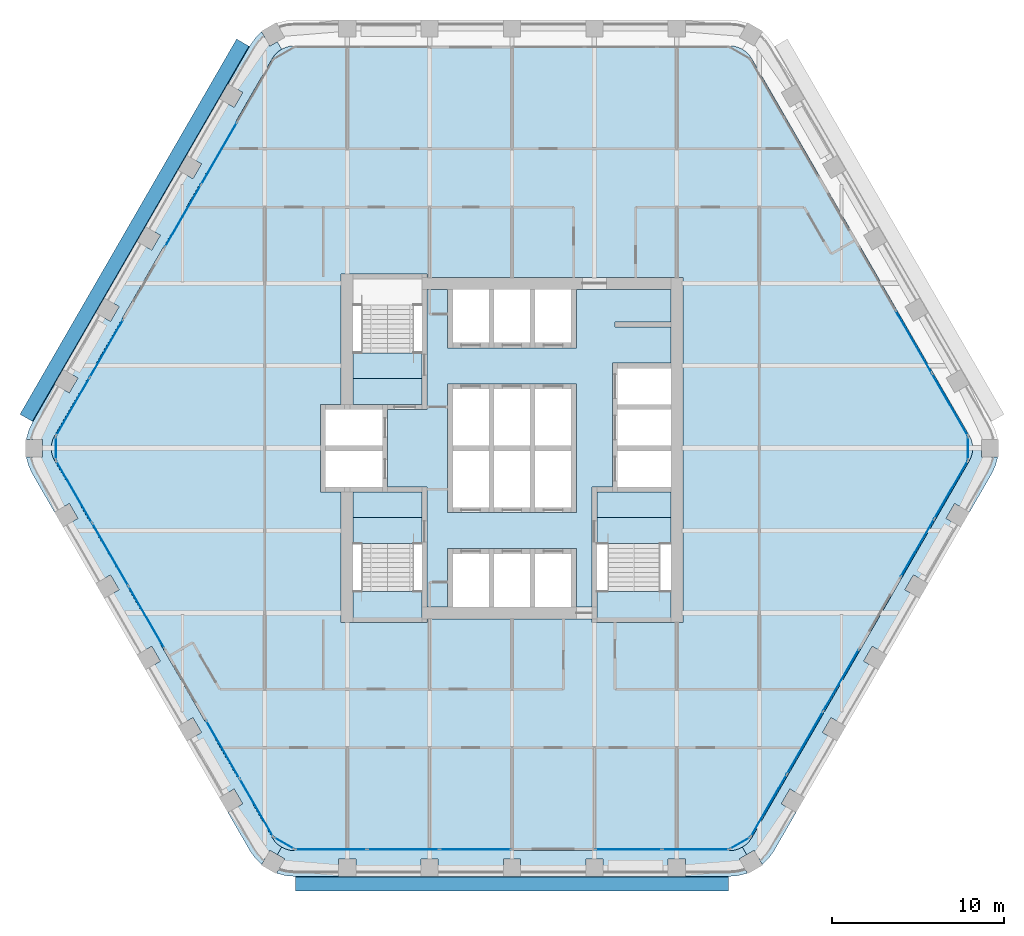
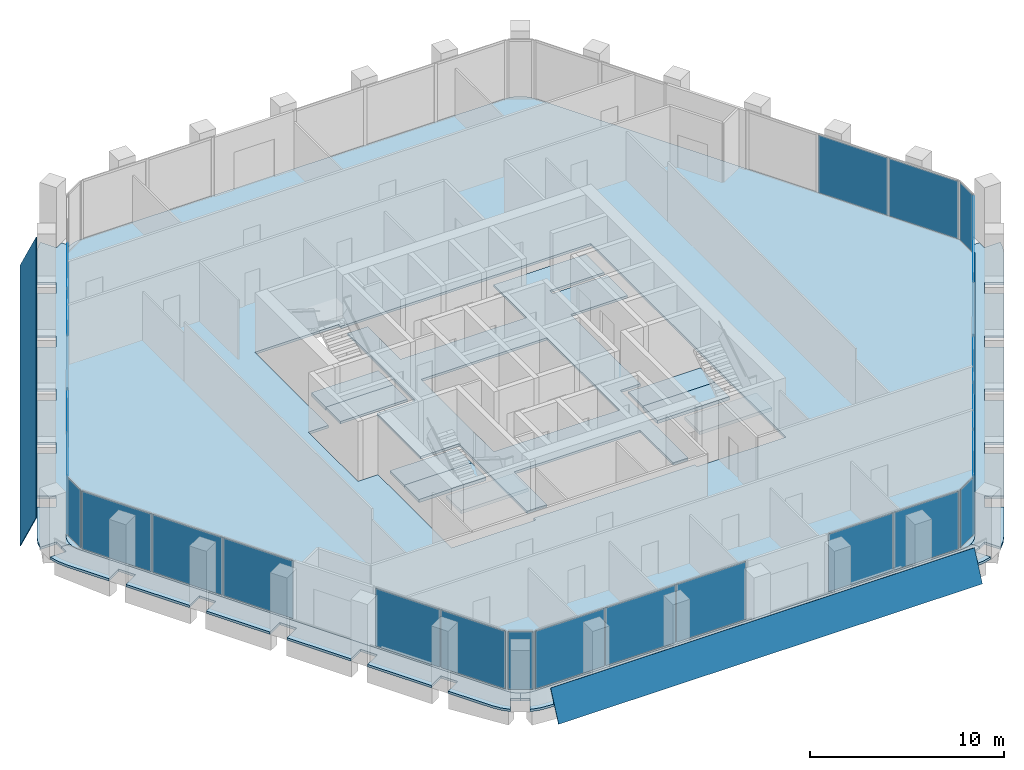
# One storey, part 7 of 15: 27 plates, 14 slabs, 16 elements without a shape of their own.
"""IFC4 building model written with IfcOpenShell, lengths in metres."""

from ifc_helpers import new_model, si_unit, direction, frame, origin, origin_2d, place, context, subcontext, project, spatial, polyline, rectangle, outline, extrude, material, layer, layer_set, type_object, element, aggregate, save


model = new_model("IFC4")

# Units and contexts
model_context = context("Model", 3, precision=1e-05, world=origin(), true_north=direction((0.0, 1.0)))
body_context = subcontext(model_context, "Body", "Model", "MODEL_VIEW")
ifc_project = project(units=[si_unit("LENGTHUNIT", "METRE"), si_unit("AREAUNIT", "SQUARE_METRE"), si_unit("VOLUMEUNIT", "CUBIC_METRE"), si_unit("PLANEANGLEUNIT", "RADIAN"), si_unit("MASSUNIT", "GRAM", prefix="KILO")], contexts=[model_context])

# Site, building, storey
site_placement = place(None, origin())
site = spatial("IfcSite", under=ifc_project, at=site_placement, CompositionType="ELEMENT")
building_placement = place(site_placement, origin())
building = spatial("IfcBuilding", under=site, at=building_placement, Name="Kolab Exchange Tower", CompositionType="ELEMENT")
storey_placement = place(building_placement, frame((0.0, 0.0, 142.699951171875)))
storey = spatial("IfcBuildingStorey", under=building, at=storey_placement, Name="L28", CompositionType="ELEMENT", Elevation=142.699951171875)

# Slabs
ifc_material_1 = material(Name="Concrete C35/45", Category="concrete")
ifc_layer_1 = layer(ifc_material_1, 0.14990234375)
ifc_layer_set_1 = layer_set([ifc_layer_1], Name="Concrete C35/45")
slab_type_1 = type_object("IfcSlabType", Name="FLOOR SLAB 150", PredefinedType="FLOOR", material=ifc_layer_set_1)
slab_1_placement = place(storey_placement, frame((0.0, 0.0, -0.14990234375)))
element("IfcSlab", 1, at=slab_1_placement, inside=storey, type_object=slab_type_1, Name="slab/L28/floor/0", PredefinedType="FLOOR", context=body_context, shape_type="SweptSolid", body=[
    extrude(outline(polyline([(13.967041015625, -22.691650390625), (26.635009765625, -0.75), (26.745361328125, -0.512939453125), (26.81298828125, -0.260498046875), (26.8359375, 0.0), (26.81298828125, 0.260498046875), (26.745361328125, 0.512939453125), (26.635009765625, 0.75), (13.967041015625, 22.691650390625), (13.81689453125, 22.90576171875), (13.632080078125, 23.090576171875), (13.41796875, 23.240478515625), (13.180908203125, 23.35107421875), (12.928466796875, 23.418701171875), (12.66796875, 23.441650390625), (-12.66796875, 23.441650390625), (-12.928466796875, 23.418701171875), (-13.180908203125, 23.35107421875), (-13.41796875, 23.240478515625), (-13.632080078125, 23.090576171875), (-13.81689453125, 22.90576171875), (-13.967041015625, 22.691650390625), (-26.635009765625, 0.75), (-26.745361328125, 0.512939453125), (-26.81298828125, 0.260498046875), (-26.8359375, 0.0), (-26.81298828125, -0.260498046875), (-26.745361328125, -0.512939453125), (-26.635009765625, -0.75), (-13.967041015625, -22.691650390625), (-13.81689453125, -22.90576171875), (-13.632080078125, -23.090576171875), (-13.41796875, -23.240478515625), (-13.180908203125, -23.35107421875), (-12.928466796875, -23.418701171875), (-12.66796875, -23.441650390625), (12.66796875, -23.441650390625), (12.928466796875, -23.418701171875), (13.180908203125, -23.35107421875), (13.41796875, -23.240478515625), (13.632080078125, -23.090576171875), (13.81689453125, -22.90576171875), (13.967041015625, -22.691650390625)]), holes=[polyline([(-9.25, -10.14990234375), (-9.949951171875, -10.14990234375), (-9.949951171875, -2.550048828125), (-10.85009765625, -2.550048828125), (-11.14990234375, -2.550048828125), (-11.14990234375, 2.550048828125), (-10.85009765625, 2.550048828125), (-9.949951171875, 2.550048828125), (-9.949951171875, 10.14990234375), (-9.25, 10.14990234375), (-5.25, 10.14990234375), (-4.949951171875, 10.14990234375), (-4.949951171875, 9.949951171875), (9.25, 9.949951171875), (9.949951171875, 9.949951171875), (9.949951171875, -10.14990234375), (9.25, -10.14990234375), (4.949951171875, -10.14990234375), (4.64990234375, -10.14990234375), (4.64990234375, -9.949951171875), (-4.949951171875, -9.949951171875), (-4.949951171875, -10.14990234375), (-5.25, -10.14990234375), (-9.25, -10.14990234375)])]), origin(), (0.0, 0.0, 1.0), 0.14990234375),
])
slab_2_placement = place(storey_placement, frame((0.0, 0.0, -0.14990234375)))
element("IfcSlab", 2, at=slab_2_placement, inside=storey, type_object=slab_type_1, Name="slab/L28/floor/1", PredefinedType="FLOOR", context=body_context, shape_type="SweptSolid", body=[
    extrude(outline(polyline([(-4.949951171875, 9.25), (-4.949951171875, 2.25), (-5.25, 2.25), (-7.25, 2.25), (-7.25, -2.25), (-5.25, -2.25), (-4.949951171875, -2.25), (-4.949951171875, -9.25), (-3.75, -9.25), (-3.75, -5.85009765625), (-3.449951171875, -5.85009765625), (-1.35009765625, -5.85009765625), (-1.050048828125, -5.85009765625), (1.050048828125, -5.85009765625), (1.35009765625, -5.85009765625), (3.449951171875, -5.85009765625), (3.75, -5.85009765625), (3.75, -9.25), (4.64990234375, -9.25), (4.64990234375, -2.25), (4.949951171875, -2.25), (5.85009765625, -2.25), (5.85009765625, 4.949951171875), (6.14990234375, 4.949951171875), (9.25, 4.949951171875), (9.25, 7.050048828125), (6.0, 7.050048828125), (6.0, 7.35009765625), (9.25, 7.35009765625), (9.25, 9.25), (3.75, 9.25), (3.75, 5.85009765625), (3.449951171875, 5.85009765625), (1.35009765625, 5.85009765625), (1.050048828125, 5.85009765625), (-1.050048828125, 5.85009765625), (-1.35009765625, 5.85009765625), (-3.449951171875, 5.85009765625), (-3.75, 5.85009765625), (-3.75, 9.25), (-4.949951171875, 9.25)]), holes=[polyline([(-3.449951171875, -3.75), (-3.75, -3.75), (-3.75, 3.75), (-3.449951171875, 3.75), (-1.35009765625, 3.75), (-1.050048828125, 3.75), (1.050048828125, 3.75), (1.35009765625, 3.75), (3.449951171875, 3.75), (3.75, 3.75), (3.75, -3.75), (3.449951171875, -3.75), (1.35009765625, -3.75), (1.050048828125, -3.75), (-1.050048828125, -3.75), (-1.35009765625, -3.75), (-3.449951171875, -3.75)])]), origin(), (0.0, 0.0, 1.0), 0.14990234375),
])
slab_3_placement = place(storey_placement, frame((0.0, 0.0, -0.14990234375)))
element("IfcSlab", 3, at=slab_3_placement, inside=storey, type_object=slab_type_1, Name="slab/L28/floor/2", PredefinedType="FLOOR", context=body_context, shape_type="SweptSolid", body=[
    extrude(outline(polyline([(4.949951171875, -4.050048828125), (9.25, -4.050048828125), (9.25, -2.550048828125), (6.14990234375, -2.550048828125), (5.85009765625, -2.550048828125), (4.949951171875, -2.550048828125), (4.949951171875, -4.050048828125)])), origin(), (0.0, 0.0, 1.0), 0.14990234375),
])
slab_4_placement = place(storey_placement, frame((0.0, 0.0, -0.14990234375)))
element("IfcSlab", 4, at=slab_4_placement, inside=storey, type_object=slab_type_1, Name="slab/L28/floor/3", PredefinedType="FLOOR", context=body_context, shape_type="SweptSolid", body=[
    extrude(outline(polyline([(-7.550048828125, -2.550048828125), (-9.25, -2.550048828125), (-9.25, -4.050048828125), (-5.25, -4.050048828125), (-5.25, -2.550048828125), (-7.25, -2.550048828125), (-7.550048828125, -2.550048828125)])), origin(), (0.0, 0.0, 1.0), 0.14990234375),
])
slab_5_placement = place(storey_placement, frame((0.0, 0.0, -0.14990234375)))
element("IfcSlab", 5, at=slab_5_placement, inside=storey, type_object=slab_type_1, Name="slab/L28/floor/4", PredefinedType="FLOOR", context=body_context, shape_type="SweptSolid", body=[
    extrude(outline(polyline([(-9.25, 2.550048828125), (-7.550048828125, 2.550048828125), (-7.25, 2.550048828125), (-5.25, 2.550048828125), (-5.25, 4.050048828125), (-9.25, 4.050048828125), (-9.25, 2.550048828125)])), origin(), (0.0, 0.0, 1.0), 0.14990234375),
])
ifc_layer_2 = layer(ifc_material_1, 0.14990234375)
ifc_layer_set_2 = layer_set([ifc_layer_2], Name="Concrete C35/45")
slab_type_2 = type_object("IfcSlabType", Name="LOGGIA SLAB 150", PredefinedType="FLOOR", material=ifc_layer_set_2)
slab_6_placement = place(storey_placement, frame((0.0, 0.0, -0.14990234375)))
element("IfcSlab", 6, at=slab_6_placement, inside=storey, type_object=slab_type_2, Name="slab/L28/loggia/2-0", PredefinedType="FLOOR", context=body_context, shape_type="SweptSolid", body=[
    extrude(outline(polyline([(15.26611328125, -23.441650390625), (16.550048828125, -21.217529296875), (15.68408203125, -20.717529296875), (16.18408203125, -19.8515625), (17.050048828125, -20.3515625), (18.949951171875, -17.060791015625), (18.083984375, -16.560791015625), (18.583984375, -15.694580078125), (19.449951171875, -16.194580078125), (21.35009765625, -12.90380859375), (20.48388671875, -12.40380859375), (20.98388671875, -11.537841796875), (21.85009765625, -12.037841796875), (23.75, -8.746826171875), (22.884033203125, -8.246826171875), (23.384033203125, -7.380859375), (24.25, -7.880859375), (26.14990234375, -4.58984375), (25.283935546875, -4.08984375), (25.783935546875, -3.223876953125), (26.64990234375, -3.723876953125), (27.93408203125, -1.5), (28.155029296875, -1.026123046875), (28.290283203125, -0.52099609375), (28.292236328125, -0.5), (27.3359375, -0.5), (27.3359375, 0.0), (26.8359375, 0.0), (26.81298828125, -0.260498046875), (26.745361328125, -0.512939453125), (26.635009765625, -0.75), (13.967041015625, -22.691650390625), (13.81689453125, -22.90576171875), (13.632080078125, -23.090576171875), (13.41796875, -23.240478515625), (13.66796875, -23.673583984375), (14.10107421875, -23.423583984375), (14.5791015625, -24.251708984375), (14.59619140625, -24.23974609375), (14.966064453125, -23.869873046875), (15.26611328125, -23.441650390625)])), origin(), (0.0, 0.0, 1.0), 0.14990234375),
])
slab_7_placement = place(storey_placement, frame((0.0, 0.0, -0.14990234375)))
element("IfcSlab", 7, at=slab_7_placement, inside=storey, type_object=slab_type_2, Name="slab/L28/loggia/3-0", PredefinedType="FLOOR", context=body_context, shape_type="SweptSolid", body=[
    extrude(outline(polyline([(-13.41796875, -23.240478515625), (-13.66796875, -23.673583984375), (-13.23486328125, -23.923583984375), (-13.713134765625, -24.751708984375), (-13.694091796875, -24.760498046875), (-13.18896484375, -24.89599609375), (-12.66796875, -24.941650390625), (-10.10009765625, -24.941650390625), (-10.10009765625, -23.941650390625), (-9.10009765625, -23.941650390625), (-9.10009765625, -24.941650390625), (-5.300048828125, -24.941650390625), (-5.300048828125, -23.941650390625), (-4.300048828125, -23.941650390625), (-4.300048828125, -24.941650390625), (-0.5, -24.941650390625), (-0.5, -23.941650390625), (0.5, -23.941650390625), (0.5, -24.941650390625), (4.300048828125, -24.941650390625), (4.300048828125, -23.941650390625), (5.300048828125, -23.941650390625), (5.300048828125, -24.941650390625), (9.10009765625, -24.941650390625), (9.10009765625, -23.941650390625), (10.10009765625, -23.941650390625), (10.10009765625, -24.941650390625), (12.66796875, -24.941650390625), (13.18896484375, -24.89599609375), (13.694091796875, -24.760498046875), (13.713134765625, -24.751708984375), (13.23486328125, -23.923583984375), (13.66796875, -23.673583984375), (13.41796875, -23.240478515625), (13.180908203125, -23.35107421875), (12.928466796875, -23.418701171875), (12.66796875, -23.441650390625), (-12.66796875, -23.441650390625), (-12.928466796875, -23.418701171875), (-13.180908203125, -23.35107421875), (-13.41796875, -23.240478515625)])), origin(), (0.0, 0.0, 1.0), 0.14990234375),
])
slab_8_placement = place(storey_placement, frame((0.0, 0.0, -0.14990234375)))
element("IfcSlab", 8, at=slab_8_placement, inside=storey, type_object=slab_type_2, Name="slab/L28/loggia/4-0", PredefinedType="FLOOR", context=body_context, shape_type="SweptSolid", body=[
    extrude(outline(polyline([(-26.8359375, 0.0), (-27.3359375, 0.0), (-27.3359375, -0.5), (-28.292236328125, -0.5), (-28.290283203125, -0.52099609375), (-28.155029296875, -1.026123046875), (-27.93408203125, -1.5), (-26.64990234375, -3.723876953125), (-25.783935546875, -3.223876953125), (-25.283935546875, -4.08984375), (-26.14990234375, -4.58984375), (-24.25, -7.880859375), (-23.384033203125, -7.380859375), (-22.884033203125, -8.246826171875), (-23.75, -8.746826171875), (-21.85009765625, -12.037841796875), (-20.98388671875, -11.537841796875), (-20.48388671875, -12.40380859375), (-21.35009765625, -12.90380859375), (-19.449951171875, -16.194580078125), (-18.583984375, -15.694580078125), (-18.083984375, -16.560791015625), (-18.949951171875, -17.060791015625), (-17.050048828125, -20.3515625), (-16.18408203125, -19.8515625), (-15.68408203125, -20.717529296875), (-16.550048828125, -21.217529296875), (-15.26611328125, -23.441650390625), (-14.966064453125, -23.869873046875), (-14.59619140625, -24.23974609375), (-14.5791015625, -24.251708984375), (-14.10107421875, -23.423583984375), (-13.66796875, -23.673583984375), (-13.41796875, -23.240478515625), (-13.632080078125, -23.090576171875), (-13.81689453125, -22.90576171875), (-13.967041015625, -22.691650390625), (-26.635009765625, -0.75), (-26.745361328125, -0.512939453125), (-26.81298828125, -0.260498046875), (-26.8359375, 0.0)])), origin(), (0.0, 0.0, 1.0), 0.14990234375),
])
slab_9_placement = place(storey_placement, frame((0.0, 0.0, -0.14990234375)))
element("IfcSlab", 9, at=slab_9_placement, inside=storey, type_object=slab_type_2, Name="slab/L28/loggia/5-0", PredefinedType="FLOOR", context=body_context, shape_type="SweptSolid", body=[
    extrude(outline(polyline([(-13.41796875, 23.240478515625), (-13.66796875, 23.673583984375), (-14.10107421875, 23.423583984375), (-14.5791015625, 24.251708984375), (-14.59619140625, 24.23974609375), (-14.966064453125, 23.869873046875), (-15.26611328125, 23.441650390625), (-16.550048828125, 21.217529296875), (-15.68408203125, 20.717529296875), (-16.18408203125, 19.8515625), (-17.050048828125, 20.3515625), (-18.949951171875, 17.060791015625), (-18.083984375, 16.560791015625), (-18.583984375, 15.694580078125), (-19.449951171875, 16.194580078125), (-21.35009765625, 12.90380859375), (-20.48388671875, 12.40380859375), (-20.98388671875, 11.537841796875), (-21.85009765625, 12.037841796875), (-23.75, 8.746826171875), (-22.884033203125, 8.246826171875), (-23.384033203125, 7.380859375), (-24.25, 7.880859375), (-26.14990234375, 4.58984375), (-25.283935546875, 4.08984375), (-25.783935546875, 3.223876953125), (-26.64990234375, 3.723876953125), (-27.93408203125, 1.5), (-28.155029296875, 1.026123046875), (-28.290283203125, 0.52099609375), (-28.292236328125, 0.5), (-27.3359375, 0.5), (-27.3359375, 0.0), (-26.8359375, 0.0), (-26.81298828125, 0.260498046875), (-26.745361328125, 0.512939453125), (-26.635009765625, 0.75), (-13.967041015625, 22.691650390625), (-13.81689453125, 22.90576171875), (-13.632080078125, 23.090576171875), (-13.41796875, 23.240478515625)])), origin(), (0.0, 0.0, 1.0), 0.14990234375),
])

# Plates
ifc_material_2 = material(Name="Laminated glass, clear", Category="glass")
ifc_layer_3 = layer(ifc_material_2, 0.0400390625)
ifc_layer_set_3 = layer_set([ifc_layer_3], Name="Laminated glass, clear")
plate_type_1 = type_object("IfcPlateType", Name="OUTER SKIN LAMINATED GLASS SHEET 40", PredefinedType="SHEET", material=ifc_layer_set_3)
plate_1_placement = place(storey_placement, frame((12.617919921875, -25.806640625, -0.68310546875), z_axis=(0.0, -0.906316657655, 0.422599238118), x_axis=(-1.0, 0.0, 0.0)))
element("IfcPlate", 10, at=plate_1_placement, inside=storey, type_object=plate_type_1, Name="Outer skin", PredefinedType="SHEET", context=body_context, shape_type="SweptSolid", body=[
    extrude(outline(polyline([(0.0, 0.0), (25.23583984375, 0.0), (25.23583984375, -1.961332030711248), (0.0, -1.961332030711248), (0.0, 0.0)])), origin(), (0.0, 0.0, -1.0), 0.0400390625),
])
plate_2_placement = place(storey_placement, frame((-28.658203125, 1.975830078125, -0.68310546875), z_axis=(-0.784898656704, 0.453161865271, 0.422585402693), x_axis=(0.499999968995, 0.866025421685, -9.26315e-07)))
element("IfcPlate", 11, at=plate_2_placement, inside=storey, type_object=plate_type_1, Name="Outer skin", PredefinedType="SHEET", context=body_context, shape_type="SweptSolid", body=[
    extrude(outline(polyline([(0.0, 0.0), (25.23592824607872, 0.0), (25.23580178082614, -1.96134386267648), (8.496673513263058e-05, -1.9612922777250188), (0.0, 0.0)])), origin(), (0.0, 0.0, -1.0), 0.0400390625),
])

# Stair, slab
ifc_material_3 = material(Name="Concrete C50/60", Category="concrete")
stair_type_1 = type_object("IfcStairType", Name="STAIR ST1 RISER 177.3", PredefinedType="HALF_TURN_STAIR", material=ifc_material_3)
stair_1_placement = place(storey_placement, origin())
stair_1 = element("IfcStair", 12, at=stair_1_placement, inside=storey, type_object=stair_type_1, Name="Stair 1", PredefinedType="HALF_TURN_STAIR")
ifc_layer_4 = layer(ifc_material_3, 0.199951171875)
ifc_layer_set_4 = layer_set([ifc_layer_4], Name="Concrete C50/60")
slab_type_3 = type_object("IfcSlabType", Name="STAIR LANDING 200", PredefinedType="LANDING", material=ifc_layer_set_4)
slab_10_placement = place(storey_placement, frame((0.0, 0.0, -0.199951171875)))
slab_10 = element("IfcSlab", 13, at=slab_10_placement, type_object=slab_type_3, Name="ST1 landing 1", PredefinedType="LANDING", context=body_context, shape_type="SweptSolid", body=[
    extrude(outline(polyline([(-9.25, 4.050048828125), (-5.25, 4.050048828125), (-5.25, 5.550048828125), (-9.25, 5.550048828125), (-9.25, 4.050048828125)])), origin(), (0.0, 0.0, 1.0), 0.199951171875),
])
aggregate(stair_1, [slab_10])

# Stair, slabs
stair_type_2 = type_object("IfcStairType", Name="STAIR ST3 RISER 177.3", PredefinedType="HALF_TURN_STAIR", material=ifc_material_3)
stair_2_placement = place(storey_placement, origin())
stair_2 = element("IfcStair", 14, at=stair_2_placement, inside=storey, type_object=stair_type_2, Name="Stair 3", PredefinedType="HALF_TURN_STAIR")
slab_11_placement = place(storey_placement, frame((0.0, 0.0, -0.199951171875)))
slab_11 = element("IfcSlab", 15, at=slab_11_placement, type_object=slab_type_3, Name="ST3 landing 1", PredefinedType="LANDING", context=body_context, shape_type="SweptSolid", body=[
    extrude(outline(polyline([(-9.25, -5.550048828125), (-5.25, -5.550048828125), (-5.25, -4.050048828125), (-9.25, -4.050048828125), (-9.25, -5.550048828125)])), origin(), (0.0, 0.0, 1.0), 0.199951171875),
])
slab_12_placement = place(storey_placement, frame((0.0, 0.0, 1.75)))
slab_12 = element("IfcSlab", 16, at=slab_12_placement, type_object=slab_type_3, Name="ST3 landing 2", PredefinedType="LANDING", context=body_context, shape_type="SweptSolid", body=[
    extrude(outline(polyline([(-9.25, -9.909912109375), (-5.25, -9.909912109375), (-5.25, -8.35009765625), (-9.25, -8.35009765625), (-9.25, -9.909912109375)])), origin(), (0.0, 0.0, 1.0), 0.199951171875),
])
aggregate(stair_2, [slab_11, slab_12])

stair_type_3 = type_object("IfcStairType", Name="STAIR ST2 RISER 177.3", PredefinedType="HALF_TURN_STAIR", material=ifc_material_3)
stair_3_placement = place(storey_placement, origin())
stair_3 = element("IfcStair", 17, at=stair_3_placement, inside=storey, type_object=stair_type_3, Name="Stair 2", PredefinedType="HALF_TURN_STAIR")
slab_13_placement = place(storey_placement, frame((0.0, 0.0, -0.199951171875)))
slab_13 = element("IfcSlab", 18, at=slab_13_placement, type_object=slab_type_3, Name="ST2 landing 1", PredefinedType="LANDING", context=body_context, shape_type="SweptSolid", body=[
    extrude(outline(polyline([(4.949951171875, -5.550048828125), (9.25, -5.550048828125), (9.25, -4.050048828125), (4.949951171875, -4.050048828125), (4.949951171875, -5.550048828125)])), origin(), (0.0, 0.0, 1.0), 0.199951171875),
])
slab_14_placement = place(storey_placement, frame((0.0, 0.0, 1.75)))
slab_14 = element("IfcSlab", 19, at=slab_14_placement, type_object=slab_type_3, Name="ST2 landing 2", PredefinedType="LANDING", context=body_context, shape_type="SweptSolid", body=[
    extrude(outline(polyline([(4.949951171875, -9.909912109375), (9.25, -9.909912109375), (9.25, -8.35009765625), (4.949951171875, -8.35009765625), (4.949951171875, -9.909912109375)])), origin(), (0.0, 0.0, 1.0), 0.199951171875),
])
aggregate(stair_3, [slab_13, slab_14])

# Curtain wall, plates
ifc_material_4 = material(Name="Aluminium EN AW-6063 T6", Category="aluminium")
curtain_wall_type = type_object("IfcCurtainWallType", Name="UNITISED UPPER MID ZONE CURTAIN WALL", PredefinedType="NOTDEFINED", material=ifc_material_4)
curtain_wall_1_placement = place(storey_placement, origin())
curtain_wall_1 = element("IfcCurtainWall", 20, at=curtain_wall_1_placement, inside=storey, type_object=curtain_wall_type, Name="cw/L28/F2-2", PredefinedType="NOTDEFINED")
ifc_material_5 = material(Name="Clear insulated glazing unit", Category="glass")
ifc_layer_5 = layer(ifc_material_5, 0.028076171875)
ifc_layer_set_5 = layer_set([ifc_layer_5], Name="Clear insulated glazing unit")
plate_type_2 = type_object("IfcPlateType", Name="UNITISED UPPER MID ZONE GLASS PANEL 28", PredefinedType="CURTAIN_PANEL", material=ifc_layer_set_5)
plate_3_placement = place(storey_placement, frame((23.398681640625, 6.1953125, 0.06005859375), z_axis=(0.0, 0.0, 1.0), x_axis=(0.499999958358, -0.866025427826, 0.0)))
plate_3 = element("IfcPlate", 21, at=plate_3_placement, type_object=plate_type_2, Name="CW3 panel 2.1", PredefinedType="CURTAIN_PANEL", context=body_context, shape_type="SweptSolid", body=[
    extrude(rectangle(XDim=4.16259765625, YDim=0.028076171875, at=origin_2d()), origin(), (0.0, 0.0, 1.0), 3.6298828125),
])
plate_4_placement = place(storey_placement, frame((25.50244140625, 2.551513671875, 0.06005859375), z_axis=(0.0, 0.0, 1.0), x_axis=(0.499999958358, -0.866025427826, 0.0)))
plate_4 = element("IfcPlate", 22, at=plate_4_placement, type_object=plate_type_2, Name="CW3 panel 3.1", PredefinedType="CURTAIN_PANEL", context=body_context, shape_type="SweptSolid", body=[
    extrude(rectangle(XDim=4.132568359375, YDim=0.028076171875, at=origin_2d()), origin(), (0.0, 0.0, 1.0), 3.6298828125),
])
aggregate(curtain_wall_1, [plate_3, plate_4])

curtain_wall_2_placement = place(storey_placement, origin())
curtain_wall_2 = element("IfcCurtainWall", 23, at=curtain_wall_2_placement, inside=storey, type_object=curtain_wall_type, Name="cw/L28/F3-1", PredefinedType="NOTDEFINED")
plate_5_placement = place(storey_placement, frame((25.57470703125, -2.426513671875, 0.06005859375), z_axis=(0.0, 0.0, 1.0), x_axis=(-0.499999936366, -0.866025440524, 0.0)))
plate_5 = element("IfcPlate", 24, at=plate_5_placement, type_object=plate_type_2, Name="CW3 panel 1.1", PredefinedType="CURTAIN_PANEL", context=body_context, shape_type="SweptSolid", body=[
    extrude(rectangle(XDim=3.843994140625, YDim=0.028076171875, at=origin_2d()), origin(), (0.0, 0.0, 1.0), 3.6298828125),
])
plate_6_placement = place(storey_placement, frame((23.62255859375, -5.807373046875, 0.06005859375), z_axis=(0.0, 0.0, 1.0), x_axis=(-0.499999936366, -0.866025440524, 0.0)))
plate_6 = element("IfcPlate", 25, at=plate_6_placement, type_object=plate_type_2, Name="CW3 panel 2.1", PredefinedType="CURTAIN_PANEL", context=body_context, shape_type="SweptSolid", body=[
    extrude(rectangle(XDim=3.843994140625, YDim=0.028076171875, at=origin_2d()), origin(), (0.0, 0.0, 1.0), 3.6298828125),
])
aggregate(curtain_wall_2, [plate_5, plate_6])

curtain_wall_3_placement = place(storey_placement, origin())
curtain_wall_3 = element("IfcCurtainWall", 26, at=curtain_wall_3_placement, inside=storey, type_object=curtain_wall_type, Name="cw/L28/F3-2", PredefinedType="NOTDEFINED")
plate_7_placement = place(storey_placement, frame((19.16845703125, -13.522216796875, 0.06005859375), z_axis=(0.0, 0.0, 1.0), x_axis=(-0.500000017564, -0.866025393644, 0.0)))
plate_7 = element("IfcPlate", 27, at=plate_7_placement, type_object=plate_type_2, Name="CW3 panel 1.1", PredefinedType="CURTAIN_PANEL", context=body_context, shape_type="SweptSolid", body=[
    extrude(rectangle(XDim=4.132568359375, YDim=0.028076171875, at=origin_2d()), origin(), (0.0, 0.0, 1.0), 3.6298828125),
])
plate_8_placement = place(storey_placement, frame((17.064697265625, -17.166259765625, 0.06005859375), z_axis=(0.0, 0.0, 1.0), x_axis=(-0.500000017564, -0.866025393644, 0.0)))
plate_8 = element("IfcPlate", 28, at=plate_8_placement, type_object=plate_type_2, Name="CW3 panel 2.1", PredefinedType="CURTAIN_PANEL", context=body_context, shape_type="SweptSolid", body=[
    extrude(rectangle(XDim=4.16259765625, YDim=0.028076171875, at=origin_2d()), origin(), (0.0, 0.0, 1.0), 3.6298828125),
])
plate_9_placement = place(storey_placement, frame((14.9609375, -20.81005859375, 0.06005859375), z_axis=(0.0, 0.0, 1.0), x_axis=(-0.500000017564, -0.866025393644, 0.0)))
plate_9 = element("IfcPlate", 29, at=plate_9_placement, type_object=plate_type_2, Name="CW3 panel 3.1", PredefinedType="CURTAIN_PANEL", context=body_context, shape_type="SweptSolid", body=[
    extrude(rectangle(XDim=4.132568359375, YDim=0.028076171875, at=origin_2d()), origin(), (0.0, 0.0, 1.0), 3.6298828125),
])
aggregate(curtain_wall_3, [plate_7, plate_8, plate_9])

curtain_wall_4_placement = place(storey_placement, origin())
curtain_wall_4 = element("IfcCurtainWall", 30, at=curtain_wall_4_placement, inside=storey, type_object=curtain_wall_type, Name="cw/L28/F4-1", PredefinedType="NOTDEFINED")
plate_10_placement = place(storey_placement, frame((10.68603515625, -23.361572265625, 0.06005859375), z_axis=(0.0, 0.0, 1.0), x_axis=(-1.0, 0.0, 0.0)))
plate_10 = element("IfcPlate", 31, at=plate_10_placement, type_object=plate_type_2, Name="CW3 panel 1.1", PredefinedType="CURTAIN_PANEL", context=body_context, shape_type="SweptSolid", body=[
    extrude(rectangle(XDim=3.843994140625, YDim=0.028076171875, at=origin_2d()), origin(), (0.0, 0.0, 1.0), 3.6298828125),
])
plate_11_placement = place(storey_placement, frame((6.781982421875, -23.361572265625, 0.06005859375), z_axis=(0.0, 0.0, 1.0), x_axis=(-1.0, 0.0, 0.0)))
plate_11 = element("IfcPlate", 32, at=plate_11_placement, type_object=plate_type_2, Name="CW3 panel 2.1", PredefinedType="CURTAIN_PANEL", context=body_context, shape_type="SweptSolid", body=[
    extrude(rectangle(XDim=3.843994140625, YDim=0.028076171875, at=origin_2d()), origin(), (0.0, 0.0, 1.0), 3.6298828125),
])
aggregate(curtain_wall_4, [plate_10, plate_11])

curtain_wall_5_placement = place(storey_placement, origin())
curtain_wall_5 = element("IfcCurtainWall", 33, at=curtain_wall_5_placement, inside=storey, type_object=curtain_wall_type, Name="cw/L28/F4-2", PredefinedType="NOTDEFINED")
plate_12_placement = place(storey_placement, frame((-2.126220703125, -23.361572265625, 0.06005859375), z_axis=(0.0, 0.0, 1.0), x_axis=(-1.0, 0.0, 0.0)))
plate_12 = element("IfcPlate", 34, at=plate_12_placement, type_object=plate_type_2, Name="CW3 panel 1.1", PredefinedType="CURTAIN_PANEL", context=body_context, shape_type="SweptSolid", body=[
    extrude(rectangle(XDim=4.132568359375, YDim=0.028076171875, at=origin_2d()), origin(), (0.0, 0.0, 1.0), 3.6298828125),
])
plate_13_placement = place(storey_placement, frame((-6.333984375, -23.361572265625, 0.06005859375), z_axis=(0.0, 0.0, 1.0), x_axis=(-1.0, 0.0, 0.0)))
plate_13 = element("IfcPlate", 35, at=plate_13_placement, type_object=plate_type_2, Name="CW3 panel 2.1", PredefinedType="CURTAIN_PANEL", context=body_context, shape_type="SweptSolid", body=[
    extrude(rectangle(XDim=4.16259765625, YDim=0.028076171875, at=origin_2d()), origin(), (0.0, 0.0, 1.0), 3.6298828125),
])
plate_14_placement = place(storey_placement, frame((-10.54150390625, -23.361572265625, 0.06005859375), z_axis=(0.0, 0.0, 1.0), x_axis=(-1.0, 0.0, 0.0)))
plate_14 = element("IfcPlate", 36, at=plate_14_placement, type_object=plate_type_2, Name="CW3 panel 3.1", PredefinedType="CURTAIN_PANEL", context=body_context, shape_type="SweptSolid", body=[
    extrude(rectangle(XDim=4.132568359375, YDim=0.028076171875, at=origin_2d()), origin(), (0.0, 0.0, 1.0), 3.6298828125),
])
aggregate(curtain_wall_5, [plate_12, plate_13, plate_14])

curtain_wall_6_placement = place(storey_placement, origin())
curtain_wall_6 = element("IfcCurtainWall", 37, at=curtain_wall_6_placement, inside=storey, type_object=curtain_wall_type, Name="cw/L28/F5-1", PredefinedType="NOTDEFINED")
plate_15_placement = place(storey_placement, frame((-14.888671875, -20.93505859375, 0.06005859375), z_axis=(0.0, 0.0, 1.0), x_axis=(-0.500000031681, 0.866025385493, 0.0)))
plate_15 = element("IfcPlate", 38, at=plate_15_placement, type_object=plate_type_2, Name="CW3 panel 1.1", PredefinedType="CURTAIN_PANEL", context=body_context, shape_type="SweptSolid", body=[
    extrude(rectangle(XDim=3.843994140625, YDim=0.028076171875, at=origin_2d()), origin(), (0.0, 0.0, 1.0), 3.6298828125),
])
plate_16_placement = place(storey_placement, frame((-16.840576171875, -17.55419921875, 0.06005859375), z_axis=(0.0, 0.0, 1.0), x_axis=(-0.500000031681, 0.866025385493, 0.0)))
plate_16 = element("IfcPlate", 39, at=plate_16_placement, type_object=plate_type_2, Name="CW3 panel 2.1", PredefinedType="CURTAIN_PANEL", context=body_context, shape_type="SweptSolid", body=[
    extrude(rectangle(XDim=3.843994140625, YDim=0.028076171875, at=origin_2d()), origin(), (0.0, 0.0, 1.0), 3.6298828125),
])
aggregate(curtain_wall_6, [plate_15, plate_16])

curtain_wall_7_placement = place(storey_placement, origin())
curtain_wall_7 = element("IfcCurtainWall", 40, at=curtain_wall_7_placement, inside=storey, type_object=curtain_wall_type, Name="cw/L28/F5-2", PredefinedType="NOTDEFINED")
plate_17_placement = place(storey_placement, frame((-21.294921875, -9.83935546875, 0.06005859375), z_axis=(0.0, 0.0, 1.0), x_axis=(-0.499999958358, 0.866025427826, 0.0)))
plate_17 = element("IfcPlate", 41, at=plate_17_placement, type_object=plate_type_2, Name="CW3 panel 1.1", PredefinedType="CURTAIN_PANEL", context=body_context, shape_type="SweptSolid", body=[
    extrude(rectangle(XDim=4.132568359375, YDim=0.028076171875, at=origin_2d()), origin(), (0.0, 0.0, 1.0), 3.6298828125),
])
plate_18_placement = place(storey_placement, frame((-23.398681640625, -6.1953125, 0.06005859375), z_axis=(0.0, 0.0, 1.0), x_axis=(-0.499999958358, 0.866025427826, 0.0)))
plate_18 = element("IfcPlate", 42, at=plate_18_placement, type_object=plate_type_2, Name="CW3 panel 2.1", PredefinedType="CURTAIN_PANEL", context=body_context, shape_type="SweptSolid", body=[
    extrude(rectangle(XDim=4.16259765625, YDim=0.028076171875, at=origin_2d()), origin(), (0.0, 0.0, 1.0), 3.6298828125),
])
plate_19_placement = place(storey_placement, frame((-25.50244140625, -2.551513671875, 0.06005859375), z_axis=(0.0, 0.0, 1.0), x_axis=(-0.499999958358, 0.866025427826, 0.0)))
plate_19 = element("IfcPlate", 43, at=plate_19_placement, type_object=plate_type_2, Name="CW3 panel 3.1", PredefinedType="CURTAIN_PANEL", context=body_context, shape_type="SweptSolid", body=[
    extrude(rectangle(XDim=4.132568359375, YDim=0.028076171875, at=origin_2d()), origin(), (0.0, 0.0, 1.0), 3.6298828125),
])
aggregate(curtain_wall_7, [plate_17, plate_18, plate_19])

curtain_wall_8_placement = place(storey_placement, origin())
curtain_wall_8 = element("IfcCurtainWall", 44, at=curtain_wall_8_placement, inside=storey, type_object=curtain_wall_type, Name="cw/L28/F6-1", PredefinedType="NOTDEFINED")
plate_20_placement = place(storey_placement, frame((-25.57470703125, 2.426513671875, 0.06005859375), z_axis=(0.0, 0.0, 1.0), x_axis=(0.499999936366, 0.866025440524, 0.0)))
plate_20 = element("IfcPlate", 45, at=plate_20_placement, type_object=plate_type_2, Name="CW3 panel 1.1", PredefinedType="CURTAIN_PANEL", context=body_context, shape_type="SweptSolid", body=[
    extrude(rectangle(XDim=3.843994140625, YDim=0.028076171875, at=origin_2d()), origin(), (0.0, 0.0, 1.0), 3.6298828125),
])
plate_21_placement = place(storey_placement, frame((-23.62255859375, 5.807373046875, 0.06005859375), z_axis=(0.0, 0.0, 1.0), x_axis=(0.499999936366, 0.866025440524, 0.0)))
plate_21 = element("IfcPlate", 46, at=plate_21_placement, type_object=plate_type_2, Name="CW3 panel 2.1", PredefinedType="CURTAIN_PANEL", context=body_context, shape_type="SweptSolid", body=[
    extrude(rectangle(XDim=3.843994140625, YDim=0.028076171875, at=origin_2d()), origin(), (0.0, 0.0, 1.0), 3.6298828125),
])
aggregate(curtain_wall_8, [plate_20, plate_21])

curtain_wall_9_placement = place(storey_placement, origin())
curtain_wall_9 = element("IfcCurtainWall", 47, at=curtain_wall_9_placement, inside=storey, type_object=curtain_wall_type, Name="cw/L28/F6-2", PredefinedType="NOTDEFINED")
plate_22_placement = place(storey_placement, frame((-19.16845703125, 13.522216796875, 0.06005859375), z_axis=(0.0, 0.0, 1.0), x_axis=(0.500000017564, 0.866025393644, 0.0)))
plate_22 = element("IfcPlate", 48, at=plate_22_placement, type_object=plate_type_2, Name="CW3 panel 1.1", PredefinedType="CURTAIN_PANEL", context=body_context, shape_type="SweptSolid", body=[
    extrude(rectangle(XDim=4.132568359375, YDim=0.028076171875, at=origin_2d()), origin(), (0.0, 0.0, 1.0), 3.6298828125),
])
plate_23_placement = place(storey_placement, frame((-17.064697265625, 17.166259765625, 0.06005859375), z_axis=(0.0, 0.0, 1.0), x_axis=(0.500000017564, 0.866025393644, 0.0)))
plate_23 = element("IfcPlate", 49, at=plate_23_placement, type_object=plate_type_2, Name="CW3 panel 2.1", PredefinedType="CURTAIN_PANEL", context=body_context, shape_type="SweptSolid", body=[
    extrude(rectangle(XDim=4.16259765625, YDim=0.028076171875, at=origin_2d()), origin(), (0.0, 0.0, 1.0), 3.6298828125),
])
aggregate(curtain_wall_9, [plate_22, plate_23])

# Curtain wall, plate
curtain_wall_10_placement = place(storey_placement, origin())
curtain_wall_10 = element("IfcCurtainWall", 50, at=curtain_wall_10_placement, inside=storey, type_object=curtain_wall_type, Name="cw/L28/F2F3-corner", PredefinedType="NOTDEFINED")
plate_24_placement = place(storey_placement, frame((26.565673828125, 0.0, 0.06005859375), z_axis=(0.0, 0.0, 1.0), x_axis=(0.0, -1.0, 0.0)))
plate_24 = element("IfcPlate", 51, at=plate_24_placement, type_object=plate_type_2, Name="CW3 panel 1.1", PredefinedType="CURTAIN_PANEL", context=body_context, shape_type="SweptSolid", body=[
    extrude(rectangle(XDim=1.300048828125, YDim=0.028076171875, at=origin_2d()), origin(), (0.0, 0.0, 1.0), 3.6298828125),
])
aggregate(curtain_wall_10, [plate_24])

curtain_wall_11_placement = place(storey_placement, origin())
curtain_wall_11 = element("IfcCurtainWall", 52, at=curtain_wall_11_placement, inside=storey, type_object=curtain_wall_type, Name="cw/L28/F3F4-corner", PredefinedType="NOTDEFINED")
plate_25_placement = place(storey_placement, frame((13.28271484375, -23.006591796875, 0.06005859375), z_axis=(0.0, 0.0, 1.0), x_axis=(-0.866025390869, -0.50000002237, 0.0)))
plate_25 = element("IfcPlate", 53, at=plate_25_placement, type_object=plate_type_2, Name="CW3 panel 1.1", PredefinedType="CURTAIN_PANEL", context=body_context, shape_type="SweptSolid", body=[
    extrude(rectangle(XDim=1.300048828125, YDim=0.028076171875, at=origin_2d()), origin(), (0.0, 0.0, 1.0), 3.6298828125),
])
aggregate(curtain_wall_11, [plate_25])

curtain_wall_12_placement = place(storey_placement, origin())
curtain_wall_12 = element("IfcCurtainWall", 54, at=curtain_wall_12_placement, inside=storey, type_object=curtain_wall_type, Name="cw/L28/F4F5-corner", PredefinedType="NOTDEFINED")
plate_26_placement = place(storey_placement, frame((-13.28271484375, -23.006591796875, 0.06005859375), z_axis=(0.0, 0.0, 1.0), x_axis=(-0.866025390869, 0.50000002237, 0.0)))
plate_26 = element("IfcPlate", 55, at=plate_26_placement, type_object=plate_type_2, Name="CW3 panel 1.1", PredefinedType="CURTAIN_PANEL", context=body_context, shape_type="SweptSolid", body=[
    extrude(rectangle(XDim=1.300048828125, YDim=0.028076171875, at=origin_2d()), origin(), (0.0, 0.0, 1.0), 3.6298828125),
])
aggregate(curtain_wall_12, [plate_26])

curtain_wall_13_placement = place(storey_placement, origin())
curtain_wall_13 = element("IfcCurtainWall", 56, at=curtain_wall_13_placement, inside=storey, type_object=curtain_wall_type, Name="cw/L28/F5F6-corner", PredefinedType="NOTDEFINED")
plate_27_placement = place(storey_placement, frame((-26.565673828125, 0.0, 0.06005859375), z_axis=(0.0, 0.0, 1.0), x_axis=(0.0, 1.0, 0.0)))
plate_27 = element("IfcPlate", 57, at=plate_27_placement, type_object=plate_type_2, Name="CW3 panel 1.1", PredefinedType="CURTAIN_PANEL", context=body_context, shape_type="SweptSolid", body=[
    extrude(rectangle(XDim=1.300048828125, YDim=0.028076171875, at=origin_2d()), origin(), (0.0, 0.0, 1.0), 3.6298828125),
])
aggregate(curtain_wall_13, [plate_27])

save(model, "model.ifc")
